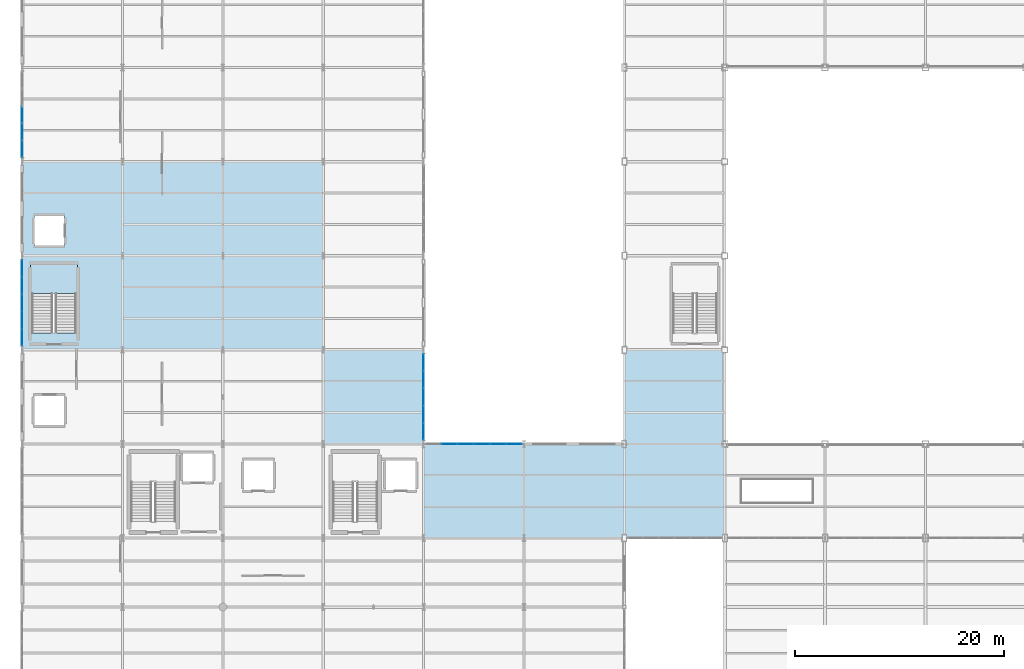
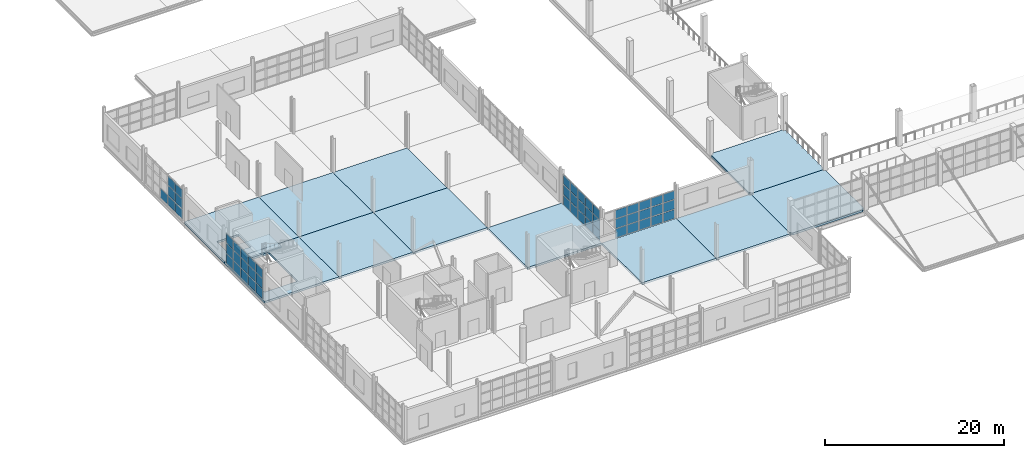
# One storey, part 75 of 120: 52 plates, 12 slabs, 5 elements without a shape of their own.
"""IFC4 building model written with IfcOpenShell, lengths in metres."""

from ifc_helpers import new_model, si_unit, direction, frame, origin, origin_2d, place, context, subcontext, project, spatial, polyline, rectangle, outline, extrude, material, layer, layer_set, type_object, element, aggregate, save


model = new_model("IFC4")

# Units and contexts
model_context = context("Model", 3, precision=1e-05, world=origin(), true_north=direction((0.0, 1.0)))
body_context = subcontext(model_context, "Body", "Model", "MODEL_VIEW")
ifc_project = project(units=[si_unit("LENGTHUNIT", "METRE"), si_unit("AREAUNIT", "SQUARE_METRE"), si_unit("VOLUMEUNIT", "CUBIC_METRE"), si_unit("PLANEANGLEUNIT", "RADIAN"), si_unit("MASSUNIT", "GRAM", prefix="KILO")], contexts=[model_context])

# Site, building, storey
site_placement = place(None, origin())
site = spatial("IfcSite", under=ifc_project, at=site_placement, CompositionType="ELEMENT")
building_placement = place(site_placement, origin())
building = spatial("IfcBuilding", under=site, at=building_placement, Name="Zarnetskaya Central Station", CompositionType="ELEMENT")
storey_placement = place(building_placement, frame((0.0, 0.0, 5.39990234375)))
storey = spatial("IfcBuildingStorey", under=building, at=storey_placement, Name="L01", CompositionType="ELEMENT", Elevation=5.39990234375)

# Curtain wall, plates
ifc_material_1 = material(Name="Low-E insulated glass", Category="glass")
ifc_layer_1 = layer(ifc_material_1, 0.16796875, Name="Low-E insulated glass", Category="glass")
ifc_layer_set_1 = layer_set([ifc_layer_1], Name="Low-E insulated glass")
curtain_wall_type_1 = type_object("IfcCurtainWallType", Name="CW-SYS-03", PredefinedType="USERDEFINED", material=ifc_layer_set_1)
curtain_wall_1_placement = place(storey_placement, origin())
curtain_wall_1 = element("IfcCurtainWall", 1, at=curtain_wall_1_placement, inside=storey, type_object=curtain_wall_type_1, Name="Curtain wall CW-L01-010", ObjectType="CURTAIN WALL", PredefinedType="USERDEFINED")
ifc_layer_2 = layer(ifc_material_1, 0.028076171875, Name="Low-E insulated glass", Category="glass")
ifc_layer_set_2 = layer_set([ifc_layer_2], Name="Low-E insulated glass")
plate_type_1 = type_object("IfcPlateType", Name="CW-PAN-28", PredefinedType="CURTAIN_PANEL", material=ifc_layer_set_2)
plate_1_placement = place(storey_placement, frame((40.875, 22.199951171875, 0.080078125), z_axis=(0.0, 0.0, 1.0), x_axis=(1.0, 0.0, 0.0)))
plate_1 = element("IfcPlate", 2, at=plate_1_placement, type_object=plate_type_1, Name="CW-12 panel 2.1", PredefinedType="CURTAIN_PANEL", context=body_context, shape_type="SweptSolid", body=[
    extrude(rectangle(XDim=1.469970703125, YDim=0.028076171875, at=origin_2d()), origin(), (0.0, 0.0, 1.0), 1.219970703125),
])
plate_2_placement = place(storey_placement, frame((40.875, 22.199951171875, 1.3798828125), z_axis=(0.0, 0.0, 1.0), x_axis=(1.0, 0.0, 0.0)))
plate_2 = element("IfcPlate", 3, at=plate_2_placement, type_object=plate_type_1, Name="CW-12 panel 2.2", PredefinedType="CURTAIN_PANEL", context=body_context, shape_type="SweptSolid", body=[
    extrude(rectangle(XDim=1.469970703125, YDim=0.028076171875, at=origin_2d()), origin(), (0.0, 0.0, 1.0), 1.259033203125),
])
plate_3_placement = place(storey_placement, frame((40.875, 22.199951171875, 2.718994140625), z_axis=(0.0, 0.0, 1.0), x_axis=(1.0, 0.0, 0.0)))
plate_3 = element("IfcPlate", 4, at=plate_3_placement, type_object=plate_type_1, Name="CW-12 panel 2.3", PredefinedType="CURTAIN_PANEL", context=body_context, shape_type="SweptSolid", body=[
    extrude(rectangle(XDim=1.469970703125, YDim=0.028076171875, at=origin_2d()), origin(), (0.0, 0.0, 1.0), 1.14111328125),
])
plate_4_placement = place(storey_placement, frame((42.425048828125, 22.199951171875, 0.080078125), z_axis=(0.0, 0.0, 1.0), x_axis=(1.0, 0.0, 0.0)))
plate_4 = element("IfcPlate", 5, at=plate_4_placement, type_object=plate_type_1, Name="CW-12 panel 3.1", PredefinedType="CURTAIN_PANEL", context=body_context, shape_type="SweptSolid", body=[
    extrude(rectangle(XDim=1.469970703125, YDim=0.028076171875, at=origin_2d()), origin(), (0.0, 0.0, 1.0), 1.219970703125),
])
plate_5_placement = place(storey_placement, frame((42.425048828125, 22.199951171875, 1.3798828125), z_axis=(0.0, 0.0, 1.0), x_axis=(1.0, 0.0, 0.0)))
plate_5 = element("IfcPlate", 6, at=plate_5_placement, type_object=plate_type_1, Name="CW-12 panel 3.2", PredefinedType="CURTAIN_PANEL", context=body_context, shape_type="SweptSolid", body=[
    extrude(rectangle(XDim=1.469970703125, YDim=0.028076171875, at=origin_2d()), origin(), (0.0, 0.0, 1.0), 1.259033203125),
])
plate_6_placement = place(storey_placement, frame((42.425048828125, 22.199951171875, 2.718994140625), z_axis=(0.0, 0.0, 1.0), x_axis=(1.0, 0.0, 0.0)))
plate_6 = element("IfcPlate", 7, at=plate_6_placement, type_object=plate_type_1, Name="CW-12 panel 3.3", PredefinedType="CURTAIN_PANEL", context=body_context, shape_type="SweptSolid", body=[
    extrude(rectangle(XDim=1.469970703125, YDim=0.028076171875, at=origin_2d()), origin(), (0.0, 0.0, 1.0), 1.14111328125),
])
plate_7_placement = place(storey_placement, frame((43.97509765625, 22.199951171875, 0.080078125), z_axis=(0.0, 0.0, 1.0), x_axis=(1.0, 0.0, 0.0)))
plate_7 = element("IfcPlate", 8, at=plate_7_placement, type_object=plate_type_1, Name="CW-12 panel 4.1", PredefinedType="CURTAIN_PANEL", context=body_context, shape_type="SweptSolid", body=[
    extrude(rectangle(XDim=1.469970703125, YDim=0.028076171875, at=origin_2d()), origin(), (0.0, 0.0, 1.0), 1.219970703125),
])
plate_8_placement = place(storey_placement, frame((43.97509765625, 22.199951171875, 1.3798828125), z_axis=(0.0, 0.0, 1.0), x_axis=(1.0, 0.0, 0.0)))
plate_8 = element("IfcPlate", 9, at=plate_8_placement, type_object=plate_type_1, Name="CW-12 panel 4.2", PredefinedType="CURTAIN_PANEL", context=body_context, shape_type="SweptSolid", body=[
    extrude(rectangle(XDim=1.469970703125, YDim=0.028076171875, at=origin_2d()), origin(), (0.0, 0.0, 1.0), 1.259033203125),
])
plate_9_placement = place(storey_placement, frame((43.97509765625, 22.199951171875, 2.718994140625), z_axis=(0.0, 0.0, 1.0), x_axis=(1.0, 0.0, 0.0)))
plate_9 = element("IfcPlate", 10, at=plate_9_placement, type_object=plate_type_1, Name="CW-12 panel 4.3", PredefinedType="CURTAIN_PANEL", context=body_context, shape_type="SweptSolid", body=[
    extrude(rectangle(XDim=1.469970703125, YDim=0.028076171875, at=origin_2d()), origin(), (0.0, 0.0, 1.0), 1.14111328125),
])
plate_10_placement = place(storey_placement, frame((45.52490234375, 22.199951171875, 0.080078125), z_axis=(0.0, 0.0, 1.0), x_axis=(1.0, 0.0, 0.0)))
plate_10 = element("IfcPlate", 11, at=plate_10_placement, type_object=plate_type_1, Name="CW-12 panel 5.1", PredefinedType="CURTAIN_PANEL", context=body_context, shape_type="SweptSolid", body=[
    extrude(rectangle(XDim=1.469970703125, YDim=0.028076171875, at=origin_2d()), origin(), (0.0, 0.0, 1.0), 1.219970703125),
])
plate_11_placement = place(storey_placement, frame((45.52490234375, 22.199951171875, 1.3798828125), z_axis=(0.0, 0.0, 1.0), x_axis=(1.0, 0.0, 0.0)))
plate_11 = element("IfcPlate", 12, at=plate_11_placement, type_object=plate_type_1, Name="CW-12 panel 5.2", PredefinedType="CURTAIN_PANEL", context=body_context, shape_type="SweptSolid", body=[
    extrude(rectangle(XDim=1.469970703125, YDim=0.028076171875, at=origin_2d()), origin(), (0.0, 0.0, 1.0), 1.259033203125),
])
plate_12_placement = place(storey_placement, frame((45.52490234375, 22.199951171875, 2.718994140625), z_axis=(0.0, 0.0, 1.0), x_axis=(1.0, 0.0, 0.0)))
plate_12 = element("IfcPlate", 13, at=plate_12_placement, type_object=plate_type_1, Name="CW-12 panel 5.3", PredefinedType="CURTAIN_PANEL", context=body_context, shape_type="SweptSolid", body=[
    extrude(rectangle(XDim=1.469970703125, YDim=0.028076171875, at=origin_2d()), origin(), (0.0, 0.0, 1.0), 1.14111328125),
])
plate_13_placement = place(storey_placement, frame((47.054931640625, 22.199951171875, 0.080078125), z_axis=(0.0, 0.0, 1.0), x_axis=(1.0, 0.0, 0.0)))
plate_13 = element("IfcPlate", 14, at=plate_13_placement, type_object=plate_type_1, Name="CW-12 panel 6.1", PredefinedType="CURTAIN_PANEL", context=body_context, shape_type="SweptSolid", body=[
    extrude(rectangle(XDim=1.429931640625, YDim=0.028076171875, at=origin_2d()), origin(), (0.0, 0.0, 1.0), 1.219970703125),
])
plate_14_placement = place(storey_placement, frame((47.054931640625, 22.199951171875, 1.3798828125), z_axis=(0.0, 0.0, 1.0), x_axis=(1.0, 0.0, 0.0)))
plate_14 = element("IfcPlate", 15, at=plate_14_placement, type_object=plate_type_1, Name="CW-12 panel 6.2", PredefinedType="CURTAIN_PANEL", context=body_context, shape_type="SweptSolid", body=[
    extrude(rectangle(XDim=1.429931640625, YDim=0.028076171875, at=origin_2d()), origin(), (0.0, 0.0, 1.0), 1.259033203125),
])
plate_15_placement = place(storey_placement, frame((47.054931640625, 22.199951171875, 2.718994140625), z_axis=(0.0, 0.0, 1.0), x_axis=(1.0, 0.0, 0.0)))
plate_15 = element("IfcPlate", 16, at=plate_15_placement, type_object=plate_type_1, Name="CW-12 panel 6.3", PredefinedType="CURTAIN_PANEL", context=body_context, shape_type="SweptSolid", body=[
    extrude(rectangle(XDim=1.429931640625, YDim=0.028076171875, at=origin_2d()), origin(), (0.0, 0.0, 1.0), 1.14111328125),
])
aggregate(curtain_wall_1, [plate_1, plate_2, plate_3, plate_4, plate_5, plate_6, plate_7, plate_8, plate_9, plate_10, plate_11, plate_12, plate_13, plate_14, plate_15])

ifc_layer_3 = layer(ifc_material_1, 0.1640625, Name="Low-E insulated glass", Category="glass")
ifc_layer_set_3 = layer_set([ifc_layer_3], Name="Low-E insulated glass")
curtain_wall_type_2 = type_object("IfcCurtainWallType", Name="CW-SYS-07", PredefinedType="USERDEFINED", material=ifc_layer_set_3)
curtain_wall_2_placement = place(storey_placement, origin())
curtain_wall_2 = element("IfcCurtainWall", 17, at=curtain_wall_2_placement, inside=storey, type_object=curtain_wall_type_2, Name="Curtain wall CW-L01-003", ObjectType="CURTAIN WALL", PredefinedType="USERDEFINED")
ifc_layer_4 = layer(ifc_material_1, 0.0400390625, Name="Low-E insulated glass", Category="glass")
ifc_layer_set_4 = layer_set([ifc_layer_4], Name="Low-E insulated glass")
plate_type_2 = type_object("IfcPlateType", Name="CW-PAN-40", PredefinedType="CURTAIN_PANEL", material=ifc_layer_set_4)
plate_16_placement = place(storey_placement, frame((0.0, 32.3974609375, 0.0703125), z_axis=(0.0, 0.0, 1.0), x_axis=(0.0, 1.0, 0.0)))
plate_16 = element("IfcPlate", 18, at=plate_16_placement, type_object=plate_type_2, Name="CW-06 panel 1.1", PredefinedType="CURTAIN_PANEL", context=body_context, shape_type="SweptSolid", body=[
    extrude(rectangle(XDim=1.554931640625, YDim=0.0400390625, at=origin_2d()), origin(), (0.0, 0.0, 1.0), 1.302978515625),
])
plate_17_placement = place(storey_placement, frame((0.0, 32.3974609375, 1.443115234375), z_axis=(0.0, 0.0, 1.0), x_axis=(0.0, 1.0, 0.0)))
plate_17 = element("IfcPlate", 19, at=plate_17_placement, type_object=plate_type_2, Name="CW-06 panel 1.2", PredefinedType="CURTAIN_PANEL", context=body_context, shape_type="SweptSolid", body=[
    extrude(rectangle(XDim=1.554931640625, YDim=0.0400390625, at=origin_2d()), origin(), (0.0, 0.0, 1.0), 1.3369140625),
])
plate_18_placement = place(storey_placement, frame((0.0, 32.3974609375, 2.85009765625), z_axis=(0.0, 0.0, 1.0), x_axis=(0.0, 1.0, 0.0)))
plate_18 = element("IfcPlate", 20, at=plate_18_placement, type_object=plate_type_2, Name="CW-06 panel 1.3", PredefinedType="CURTAIN_PANEL", context=body_context, shape_type="SweptSolid", body=[
    extrude(rectangle(XDim=1.554931640625, YDim=0.0400390625, at=origin_2d()), origin(), (0.0, 0.0, 1.0), 1.219970703125),
])
plate_19_placement = place(storey_placement, frame((0.0, 34.0400390625, 0.0703125), z_axis=(0.0, 0.0, 1.0), x_axis=(0.0, 1.0, 0.0)))
plate_19 = element("IfcPlate", 21, at=plate_19_placement, type_object=plate_type_2, Name="CW-06 panel 2.1", PredefinedType="CURTAIN_PANEL", context=body_context, shape_type="SweptSolid", body=[
    extrude(rectangle(XDim=1.590087890625, YDim=0.0400390625, at=origin_2d()), origin(), (0.0, 0.0, 1.0), 1.302978515625),
])
plate_20_placement = place(storey_placement, frame((0.0, 34.0400390625, 1.443115234375), z_axis=(0.0, 0.0, 1.0), x_axis=(0.0, 1.0, 0.0)))
plate_20 = element("IfcPlate", 22, at=plate_20_placement, type_object=plate_type_2, Name="CW-06 panel 2.2", PredefinedType="CURTAIN_PANEL", context=body_context, shape_type="SweptSolid", body=[
    extrude(rectangle(XDim=1.590087890625, YDim=0.0400390625, at=origin_2d()), origin(), (0.0, 0.0, 1.0), 1.3369140625),
])
plate_21_placement = place(storey_placement, frame((0.0, 34.0400390625, 2.85009765625), z_axis=(0.0, 0.0, 1.0), x_axis=(0.0, 1.0, 0.0)))
plate_21 = element("IfcPlate", 23, at=plate_21_placement, type_object=plate_type_2, Name="CW-06 panel 2.3", PredefinedType="CURTAIN_PANEL", context=body_context, shape_type="SweptSolid", body=[
    extrude(rectangle(XDim=1.590087890625, YDim=0.0400390625, at=origin_2d()), origin(), (0.0, 0.0, 1.0), 1.219970703125),
])
plate_22_placement = place(storey_placement, frame((0.0, 35.699951171875, 0.0703125), z_axis=(0.0, 0.0, 1.0), x_axis=(0.0, 1.0, 0.0)))
plate_22 = element("IfcPlate", 24, at=plate_22_placement, type_object=plate_type_2, Name="CW-06 panel 3.1", PredefinedType="CURTAIN_PANEL", context=body_context, shape_type="SweptSolid", body=[
    extrude(rectangle(XDim=1.590087890625, YDim=0.0400390625, at=origin_2d()), origin(), (0.0, 0.0, 1.0), 1.302978515625),
])
plate_23_placement = place(storey_placement, frame((0.0, 35.699951171875, 1.443115234375), z_axis=(0.0, 0.0, 1.0), x_axis=(0.0, 1.0, 0.0)))
plate_23 = element("IfcPlate", 25, at=plate_23_placement, type_object=plate_type_2, Name="CW-06 panel 3.2", PredefinedType="CURTAIN_PANEL", context=body_context, shape_type="SweptSolid", body=[
    extrude(rectangle(XDim=1.590087890625, YDim=0.0400390625, at=origin_2d()), origin(), (0.0, 0.0, 1.0), 1.3369140625),
])
plate_24_placement = place(storey_placement, frame((0.0, 35.699951171875, 2.85009765625), z_axis=(0.0, 0.0, 1.0), x_axis=(0.0, 1.0, 0.0)))
plate_24 = element("IfcPlate", 26, at=plate_24_placement, type_object=plate_type_2, Name="CW-06 panel 3.3", PredefinedType="CURTAIN_PANEL", context=body_context, shape_type="SweptSolid", body=[
    extrude(rectangle(XDim=1.590087890625, YDim=0.0400390625, at=origin_2d()), origin(), (0.0, 0.0, 1.0), 1.219970703125),
])
plate_25_placement = place(storey_placement, frame((0.0, 37.360107421875, 0.0703125), z_axis=(0.0, 0.0, 1.0), x_axis=(0.0, 1.0, 0.0)))
plate_25 = element("IfcPlate", 27, at=plate_25_placement, type_object=plate_type_2, Name="CW-06 panel 4.1", PredefinedType="CURTAIN_PANEL", context=body_context, shape_type="SweptSolid", body=[
    extrude(rectangle(XDim=1.590087890625, YDim=0.0400390625, at=origin_2d()), origin(), (0.0, 0.0, 1.0), 1.302978515625),
])
plate_26_placement = place(storey_placement, frame((0.0, 37.360107421875, 1.443115234375), z_axis=(0.0, 0.0, 1.0), x_axis=(0.0, 1.0, 0.0)))
plate_26 = element("IfcPlate", 28, at=plate_26_placement, type_object=plate_type_2, Name="CW-06 panel 4.2", PredefinedType="CURTAIN_PANEL", context=body_context, shape_type="SweptSolid", body=[
    extrude(rectangle(XDim=1.590087890625, YDim=0.0400390625, at=origin_2d()), origin(), (0.0, 0.0, 1.0), 1.3369140625),
])
plate_27_placement = place(storey_placement, frame((0.0, 37.360107421875, 2.85009765625), z_axis=(0.0, 0.0, 1.0), x_axis=(0.0, 1.0, 0.0)))
plate_27 = element("IfcPlate", 29, at=plate_27_placement, type_object=plate_type_2, Name="CW-06 panel 4.3", PredefinedType="CURTAIN_PANEL", context=body_context, shape_type="SweptSolid", body=[
    extrude(rectangle(XDim=1.590087890625, YDim=0.0400390625, at=origin_2d()), origin(), (0.0, 0.0, 1.0), 1.219970703125),
])
plate_28_placement = place(storey_placement, frame((0.0, 39.00244140625, 0.0703125), z_axis=(0.0, 0.0, 1.0), x_axis=(0.0, 1.0, 0.0)))
plate_28 = element("IfcPlate", 30, at=plate_28_placement, type_object=plate_type_2, Name="CW-06 panel 5.1", PredefinedType="CURTAIN_PANEL", context=body_context, shape_type="SweptSolid", body=[
    extrude(rectangle(XDim=1.554931640625, YDim=0.0400390625, at=origin_2d()), origin(), (0.0, 0.0, 1.0), 1.302978515625),
])
plate_29_placement = place(storey_placement, frame((0.0, 39.00244140625, 1.443115234375), z_axis=(0.0, 0.0, 1.0), x_axis=(0.0, 1.0, 0.0)))
plate_29 = element("IfcPlate", 31, at=plate_29_placement, type_object=plate_type_2, Name="CW-06 panel 5.2", PredefinedType="CURTAIN_PANEL", context=body_context, shape_type="SweptSolid", body=[
    extrude(rectangle(XDim=1.554931640625, YDim=0.0400390625, at=origin_2d()), origin(), (0.0, 0.0, 1.0), 1.3369140625),
])
plate_30_placement = place(storey_placement, frame((0.0, 39.00244140625, 2.85009765625), z_axis=(0.0, 0.0, 1.0), x_axis=(0.0, 1.0, 0.0)))
plate_30 = element("IfcPlate", 32, at=plate_30_placement, type_object=plate_type_2, Name="CW-06 panel 5.3", PredefinedType="CURTAIN_PANEL", context=body_context, shape_type="SweptSolid", body=[
    extrude(rectangle(XDim=1.554931640625, YDim=0.0400390625, at=origin_2d()), origin(), (0.0, 0.0, 1.0), 1.219970703125),
])
aggregate(curtain_wall_2, [plate_16, plate_17, plate_18, plate_19, plate_20, plate_21, plate_22, plate_23, plate_24, plate_25, plate_26, plate_27, plate_28, plate_29, plate_30])

ifc_layer_5 = layer(ifc_material_1, 0.172119140625, Name="Low-E insulated glass", Category="glass")
ifc_layer_set_5 = layer_set([ifc_layer_5], Name="Low-E insulated glass")
curtain_wall_type_3 = type_object("IfcCurtainWallType", Name="CW-SYS-09", PredefinedType="USERDEFINED", material=ifc_layer_set_5)
curtain_wall_3_placement = place(storey_placement, origin())
curtain_wall_3 = element("IfcCurtainWall", 33, at=curtain_wall_3_placement, inside=storey, type_object=curtain_wall_type_3, Name="Curtain wall CW-L01-004", ObjectType="CURTAIN WALL", PredefinedType="USERDEFINED")
ifc_layer_6 = layer(ifc_material_1, 0.0439453125, Name="Low-E insulated glass", Category="glass")
ifc_layer_set_6 = layer_set([ifc_layer_6], Name="Low-E insulated glass")
plate_type_3 = type_object("IfcPlateType", Name="CW-PAN-44", PredefinedType="CURTAIN_PANEL", material=ifc_layer_set_6)
plate_31_placement = place(storey_placement, frame((0.0, 50.39990234375, 0.080078125), z_axis=(0.0, 0.0, 1.0), x_axis=(0.0, 1.0, 0.0)))
plate_31 = element("IfcPlate", 34, at=plate_31_placement, type_object=plate_type_3, Name="CW-07 panel 1.1", PredefinedType="CURTAIN_PANEL", context=body_context, shape_type="SweptSolid", body=[
    extrude(rectangle(XDim=1.5400390625, YDim=0.0439453125, at=origin_2d()), origin(), (0.0, 0.0, 1.0), 1.2880859375),
])
plate_32_placement = place(storey_placement, frame((0.0, 50.39990234375, 1.4482421875), z_axis=(0.0, 0.0, 1.0), x_axis=(0.0, 1.0, 0.0)))
plate_32 = element("IfcPlate", 35, at=plate_32_placement, type_object=plate_type_3, Name="CW-07 panel 1.2", PredefinedType="CURTAIN_PANEL", context=body_context, shape_type="SweptSolid", body=[
    extrude(rectangle(XDim=1.5400390625, YDim=0.0439453125, at=origin_2d()), origin(), (0.0, 0.0, 1.0), 1.326904296875),
])
plate_33_placement = place(storey_placement, frame((0.0, 50.39990234375, 2.85498046875), z_axis=(0.0, 0.0, 1.0), x_axis=(0.0, 1.0, 0.0)))
plate_33 = element("IfcPlate", 36, at=plate_33_placement, type_object=plate_type_3, Name="CW-07 panel 1.3", PredefinedType="CURTAIN_PANEL", context=body_context, shape_type="SweptSolid", body=[
    extrude(rectangle(XDim=1.5400390625, YDim=0.0439453125, at=origin_2d()), origin(), (0.0, 0.0, 1.0), 1.205078125),
])
plate_34_placement = place(storey_placement, frame((0.0, 52.0400390625, 0.080078125), z_axis=(0.0, 0.0, 1.0), x_axis=(0.0, 1.0, 0.0)))
plate_34 = element("IfcPlate", 37, at=plate_34_placement, type_object=plate_type_3, Name="CW-07 panel 2.1", PredefinedType="CURTAIN_PANEL", context=body_context, shape_type="SweptSolid", body=[
    extrude(rectangle(XDim=1.580078125, YDim=0.0439453125, at=origin_2d()), origin(), (0.0, 0.0, 1.0), 1.2880859375),
])
plate_35_placement = place(storey_placement, frame((0.0, 52.0400390625, 1.4482421875), z_axis=(0.0, 0.0, 1.0), x_axis=(0.0, 1.0, 0.0)))
plate_35 = element("IfcPlate", 38, at=plate_35_placement, type_object=plate_type_3, Name="CW-07 panel 2.2", PredefinedType="CURTAIN_PANEL", context=body_context, shape_type="SweptSolid", body=[
    extrude(rectangle(XDim=1.580078125, YDim=0.0439453125, at=origin_2d()), origin(), (0.0, 0.0, 1.0), 1.326904296875),
])
plate_36_placement = place(storey_placement, frame((0.0, 52.0400390625, 2.85498046875), z_axis=(0.0, 0.0, 1.0), x_axis=(0.0, 1.0, 0.0)))
plate_36 = element("IfcPlate", 39, at=plate_36_placement, type_object=plate_type_3, Name="CW-07 panel 2.3", PredefinedType="CURTAIN_PANEL", context=body_context, shape_type="SweptSolid", body=[
    extrude(rectangle(XDim=1.580078125, YDim=0.0439453125, at=origin_2d()), origin(), (0.0, 0.0, 1.0), 1.205078125),
])
plate_37_placement = place(storey_placement, frame((0.0, 53.699951171875, 0.080078125), z_axis=(0.0, 0.0, 1.0), x_axis=(0.0, 1.0, 0.0)))
plate_37 = element("IfcPlate", 40, at=plate_37_placement, type_object=plate_type_3, Name="CW-07 panel 3.1", PredefinedType="CURTAIN_PANEL", context=body_context, shape_type="SweptSolid", body=[
    extrude(rectangle(XDim=1.580078125, YDim=0.0439453125, at=origin_2d()), origin(), (0.0, 0.0, 1.0), 1.2880859375),
])
aggregate(curtain_wall_3, [plate_31, plate_32, plate_33, plate_34, plate_35, plate_36, plate_37])

curtain_wall_4_placement = place(storey_placement, origin())
curtain_wall_4 = element("IfcCurtainWall", 41, at=curtain_wall_4_placement, inside=storey, type_object=curtain_wall_type_2, Name="Curtain wall CW-L01-009", ObjectType="CURTAIN WALL", PredefinedType="USERDEFINED")
plate_38_placement = place(storey_placement, frame((38.39990234375, 30.00244140625, 0.0703125), z_axis=(0.0, 0.0, 1.0), x_axis=(0.0, -1.0, 0.0)))
plate_38 = element("IfcPlate", 42, at=plate_38_placement, type_object=plate_type_3, Name="CW-06 panel 1.1", PredefinedType="CURTAIN_PANEL", context=body_context, shape_type="SweptSolid", body=[
    extrude(rectangle(XDim=1.554931640625, YDim=0.0439453125, at=origin_2d()), origin(), (0.0, 0.0, 1.0), 1.322998046875),
])
plate_39_placement = place(storey_placement, frame((38.39990234375, 30.00244140625, 1.463134765625), z_axis=(0.0, 0.0, 1.0), x_axis=(0.0, -1.0, 0.0)))
plate_39 = element("IfcPlate", 43, at=plate_39_placement, type_object=plate_type_3, Name="CW-06 panel 1.2", PredefinedType="CURTAIN_PANEL", context=body_context, shape_type="SweptSolid", body=[
    extrude(rectangle(XDim=1.554931640625, YDim=0.0439453125, at=origin_2d()), origin(), (0.0, 0.0, 1.0), 1.35791015625),
])
plate_40_placement = place(storey_placement, frame((38.39990234375, 30.00244140625, 2.89111328125), z_axis=(0.0, 0.0, 1.0), x_axis=(0.0, -1.0, 0.0)))
plate_40 = element("IfcPlate", 44, at=plate_40_placement, type_object=plate_type_3, Name="CW-06 panel 1.3", PredefinedType="CURTAIN_PANEL", context=body_context, shape_type="SweptSolid", body=[
    extrude(rectangle(XDim=1.554931640625, YDim=0.0439453125, at=origin_2d()), origin(), (0.0, 0.0, 1.0), 1.239013671875),
])
plate_41_placement = place(storey_placement, frame((38.39990234375, 28.360107421875, 0.0703125), z_axis=(0.0, 0.0, 1.0), x_axis=(0.0, -1.0, 0.0)))
plate_41 = element("IfcPlate", 45, at=plate_41_placement, type_object=plate_type_3, Name="CW-06 panel 2.1", PredefinedType="CURTAIN_PANEL", context=body_context, shape_type="SweptSolid", body=[
    extrude(rectangle(XDim=1.590087890625, YDim=0.0439453125, at=origin_2d()), origin(), (0.0, 0.0, 1.0), 1.322998046875),
])
plate_42_placement = place(storey_placement, frame((38.39990234375, 28.360107421875, 1.463134765625), z_axis=(0.0, 0.0, 1.0), x_axis=(0.0, -1.0, 0.0)))
plate_42 = element("IfcPlate", 46, at=plate_42_placement, type_object=plate_type_3, Name="CW-06 panel 2.2", PredefinedType="CURTAIN_PANEL", context=body_context, shape_type="SweptSolid", body=[
    extrude(rectangle(XDim=1.590087890625, YDim=0.0439453125, at=origin_2d()), origin(), (0.0, 0.0, 1.0), 1.35791015625),
])
plate_43_placement = place(storey_placement, frame((38.39990234375, 28.360107421875, 2.89111328125), z_axis=(0.0, 0.0, 1.0), x_axis=(0.0, -1.0, 0.0)))
plate_43 = element("IfcPlate", 47, at=plate_43_placement, type_object=plate_type_3, Name="CW-06 panel 2.3", PredefinedType="CURTAIN_PANEL", context=body_context, shape_type="SweptSolid", body=[
    extrude(rectangle(XDim=1.590087890625, YDim=0.0439453125, at=origin_2d()), origin(), (0.0, 0.0, 1.0), 1.239013671875),
])
plate_44_placement = place(storey_placement, frame((38.39990234375, 26.699951171875, 0.0703125), z_axis=(0.0, 0.0, 1.0), x_axis=(0.0, -1.0, 0.0)))
plate_44 = element("IfcPlate", 48, at=plate_44_placement, type_object=plate_type_3, Name="CW-06 panel 3.1", PredefinedType="CURTAIN_PANEL", context=body_context, shape_type="SweptSolid", body=[
    extrude(rectangle(XDim=1.590087890625, YDim=0.0439453125, at=origin_2d()), origin(), (0.0, 0.0, 1.0), 1.322998046875),
])
plate_45_placement = place(storey_placement, frame((38.39990234375, 26.699951171875, 1.463134765625), z_axis=(0.0, 0.0, 1.0), x_axis=(0.0, -1.0, 0.0)))
plate_45 = element("IfcPlate", 49, at=plate_45_placement, type_object=plate_type_3, Name="CW-06 panel 3.2", PredefinedType="CURTAIN_PANEL", context=body_context, shape_type="SweptSolid", body=[
    extrude(rectangle(XDim=1.590087890625, YDim=0.0439453125, at=origin_2d()), origin(), (0.0, 0.0, 1.0), 1.35791015625),
])
plate_46_placement = place(storey_placement, frame((38.39990234375, 26.699951171875, 2.89111328125), z_axis=(0.0, 0.0, 1.0), x_axis=(0.0, -1.0, 0.0)))
plate_46 = element("IfcPlate", 50, at=plate_46_placement, type_object=plate_type_3, Name="CW-06 panel 3.3", PredefinedType="CURTAIN_PANEL", context=body_context, shape_type="SweptSolid", body=[
    extrude(rectangle(XDim=1.590087890625, YDim=0.0439453125, at=origin_2d()), origin(), (0.0, 0.0, 1.0), 1.239013671875),
])
plate_47_placement = place(storey_placement, frame((38.39990234375, 25.0400390625, 0.0703125), z_axis=(0.0, 0.0, 1.0), x_axis=(0.0, -1.0, 0.0)))
plate_47 = element("IfcPlate", 51, at=plate_47_placement, type_object=plate_type_3, Name="CW-06 panel 4.1", PredefinedType="CURTAIN_PANEL", context=body_context, shape_type="SweptSolid", body=[
    extrude(rectangle(XDim=1.590087890625, YDim=0.0439453125, at=origin_2d()), origin(), (0.0, 0.0, 1.0), 1.322998046875),
])
plate_48_placement = place(storey_placement, frame((38.39990234375, 25.0400390625, 1.463134765625), z_axis=(0.0, 0.0, 1.0), x_axis=(0.0, -1.0, 0.0)))
plate_48 = element("IfcPlate", 52, at=plate_48_placement, type_object=plate_type_3, Name="CW-06 panel 4.2", PredefinedType="CURTAIN_PANEL", context=body_context, shape_type="SweptSolid", body=[
    extrude(rectangle(XDim=1.590087890625, YDim=0.0439453125, at=origin_2d()), origin(), (0.0, 0.0, 1.0), 1.35791015625),
])
plate_49_placement = place(storey_placement, frame((38.39990234375, 25.0400390625, 2.89111328125), z_axis=(0.0, 0.0, 1.0), x_axis=(0.0, -1.0, 0.0)))
plate_49 = element("IfcPlate", 53, at=plate_49_placement, type_object=plate_type_3, Name="CW-06 panel 4.3", PredefinedType="CURTAIN_PANEL", context=body_context, shape_type="SweptSolid", body=[
    extrude(rectangle(XDim=1.590087890625, YDim=0.0439453125, at=origin_2d()), origin(), (0.0, 0.0, 1.0), 1.239013671875),
])
plate_50_placement = place(storey_placement, frame((38.39990234375, 23.3974609375, 0.0703125), z_axis=(0.0, 0.0, 1.0), x_axis=(0.0, -1.0, 0.0)))
plate_50 = element("IfcPlate", 54, at=plate_50_placement, type_object=plate_type_3, Name="CW-06 panel 5.1", PredefinedType="CURTAIN_PANEL", context=body_context, shape_type="SweptSolid", body=[
    extrude(rectangle(XDim=1.554931640625, YDim=0.0439453125, at=origin_2d()), origin(), (0.0, 0.0, 1.0), 1.322998046875),
])
plate_51_placement = place(storey_placement, frame((38.39990234375, 23.3974609375, 1.463134765625), z_axis=(0.0, 0.0, 1.0), x_axis=(0.0, -1.0, 0.0)))
plate_51 = element("IfcPlate", 55, at=plate_51_placement, type_object=plate_type_3, Name="CW-06 panel 5.2", PredefinedType="CURTAIN_PANEL", context=body_context, shape_type="SweptSolid", body=[
    extrude(rectangle(XDim=1.554931640625, YDim=0.0439453125, at=origin_2d()), origin(), (0.0, 0.0, 1.0), 1.35791015625),
])
plate_52_placement = place(storey_placement, frame((38.39990234375, 23.3974609375, 2.89111328125), z_axis=(0.0, 0.0, 1.0), x_axis=(0.0, -1.0, 0.0)))
plate_52 = element("IfcPlate", 56, at=plate_52_placement, type_object=plate_type_3, Name="CW-06 panel 5.3", PredefinedType="CURTAIN_PANEL", context=body_context, shape_type="SweptSolid", body=[
    extrude(rectangle(XDim=1.554931640625, YDim=0.0439453125, at=origin_2d()), origin(), (0.0, 0.0, 1.0), 1.239013671875),
])
aggregate(curtain_wall_4, [plate_38, plate_39, plate_40, plate_41, plate_42, plate_43, plate_44, plate_45, plate_46, plate_47, plate_48, plate_49, plate_50, plate_51, plate_52])

# Slabs
ifc_material_2 = material(Name="Concrete C30/37", Category="concrete")
ifc_layer_7 = layer(ifc_material_2, 0.280029296875, Name="Concrete C30/37", Category="concrete")
ifc_layer_set_7 = layer_set([ifc_layer_7], Name="Concrete C30/37")
slab_type_1 = type_object("IfcSlabType", Name="SLAB-BRG-280", PredefinedType="FLOOR", material=ifc_layer_set_7)
slab_1_placement = place(storey_placement, frame((0.0, 0.0, -0.27978515625)))
element("IfcSlab", 57, at=slab_1_placement, inside=storey, type_object=slab_type_1, Name="L01 slab A-B/5-6", PredefinedType="FLOOR", context=body_context, shape_type="SweptSolid", body=[
    extrude(outline(polyline([(0.0, 31.199951171875), (9.60009765625, 31.199951171875), (9.60009765625, 40.199951171875), (0.0, 40.199951171875), (0.0, 31.199951171875)]), holes=[polyline([(0.89990234375, 32.804931640625), (5.199951171875, 32.804931640625), (5.199951171875, 39.300048828125), (0.89990234375, 39.300048828125), (0.89990234375, 32.804931640625)])]), origin(), (0.0, 0.0, 1.0), 0.27978515625),
])
slab_2_placement = place(storey_placement, frame((0.0, 0.0, -0.27978515625)))
element("IfcSlab", 58, at=slab_2_placement, inside=storey, type_object=slab_type_1, Name="L01 slab A-B/6-7", PredefinedType="FLOOR", context=body_context, shape_type="SweptSolid", body=[
    extrude(outline(polyline([(0.0, 40.199951171875), (9.60009765625, 40.199951171875), (9.60009765625, 49.199951171875), (0.0, 49.199951171875), (0.0, 40.199951171875)]), holes=[polyline([(1.199951171875, 41.199951171875), (4.0, 41.199951171875), (4.0, 44.0), (1.199951171875, 44.0), (1.199951171875, 41.199951171875)])]), origin(), (0.0, 0.0, 1.0), 0.27978515625),
])
slab_3_placement = place(storey_placement, frame((0.0, 0.0, -0.27978515625)))
element("IfcSlab", 59, at=slab_3_placement, inside=storey, type_object=slab_type_1, Name="L01 slab B-C/5-6", PredefinedType="FLOOR", context=body_context, shape_type="SweptSolid", body=[
    extrude(outline(polyline([(9.60009765625, 31.199951171875), (19.199951171875, 31.199951171875), (19.199951171875, 40.199951171875), (9.60009765625, 40.199951171875), (9.60009765625, 31.199951171875)])), origin(), (0.0, 0.0, 1.0), 0.27978515625),
])
slab_4_placement = place(storey_placement, frame((0.0, 0.0, -0.27978515625)))
element("IfcSlab", 60, at=slab_4_placement, inside=storey, type_object=slab_type_1, Name="L01 slab B-C/6-7", PredefinedType="FLOOR", context=body_context, shape_type="SweptSolid", body=[
    extrude(outline(polyline([(9.60009765625, 40.199951171875), (19.199951171875, 40.199951171875), (19.199951171875, 49.199951171875), (9.60009765625, 49.199951171875), (9.60009765625, 40.199951171875)])), origin(), (0.0, 0.0, 1.0), 0.27978515625),
])
slab_5_placement = place(storey_placement, frame((0.0, 0.0, -0.27978515625)))
element("IfcSlab", 61, at=slab_5_placement, inside=storey, type_object=slab_type_1, Name="L01 slab C-D/5-6", PredefinedType="FLOOR", context=body_context, shape_type="SweptSolid", body=[
    extrude(outline(polyline([(19.199951171875, 31.199951171875), (28.800048828125, 31.199951171875), (28.800048828125, 40.199951171875), (19.199951171875, 40.199951171875), (19.199951171875, 31.199951171875)])), origin(), (0.0, 0.0, 1.0), 0.27978515625),
])
slab_6_placement = place(storey_placement, frame((0.0, 0.0, -0.27978515625)))
element("IfcSlab", 62, at=slab_6_placement, inside=storey, type_object=slab_type_1, Name="L01 slab C-D/6-7", PredefinedType="FLOOR", context=body_context, shape_type="SweptSolid", body=[
    extrude(outline(polyline([(19.199951171875, 40.199951171875), (28.800048828125, 40.199951171875), (28.800048828125, 49.199951171875), (19.199951171875, 49.199951171875), (19.199951171875, 40.199951171875)])), origin(), (0.0, 0.0, 1.0), 0.27978515625),
])
slab_7_placement = place(storey_placement, frame((0.0, 0.0, -0.27978515625)))
element("IfcSlab", 63, at=slab_7_placement, inside=storey, type_object=slab_type_1, Name="L01 slab D-E/4-5", PredefinedType="FLOOR", context=body_context, shape_type="SweptSolid", body=[
    extrude(outline(polyline([(28.800048828125, 22.199951171875), (38.39990234375, 22.199951171875), (38.39990234375, 31.199951171875), (28.800048828125, 31.199951171875), (28.800048828125, 22.199951171875)])), origin(), (0.0, 0.0, 1.0), 0.27978515625),
])
slab_8_placement = place(storey_placement, frame((0.0, 0.0, -0.27978515625)))
element("IfcSlab", 64, at=slab_8_placement, inside=storey, type_object=slab_type_1, Name="L01 slab E-F/3-4", PredefinedType="FLOOR", context=body_context, shape_type="SweptSolid", body=[
    extrude(outline(polyline([(38.39990234375, 13.199951171875), (48.0, 13.199951171875), (48.0, 22.199951171875), (38.39990234375, 22.199951171875), (38.39990234375, 13.199951171875)])), origin(), (0.0, 0.0, 1.0), 0.27978515625),
])
slab_9_placement = place(storey_placement, frame((0.0, 0.0, -0.27978515625)))
element("IfcSlab", 65, at=slab_9_placement, inside=storey, type_object=slab_type_1, Name="L01 slab F-G/3-4", PredefinedType="FLOOR", context=body_context, shape_type="SweptSolid", body=[
    extrude(outline(polyline([(48.0, 13.199951171875), (57.60009765625, 13.199951171875), (57.60009765625, 22.199951171875), (48.0, 22.199951171875), (48.0, 13.199951171875)])), origin(), (0.0, 0.0, 1.0), 0.27978515625),
])
slab_10_placement = place(storey_placement, frame((0.0, 0.0, -0.27978515625)))
element("IfcSlab", 66, at=slab_10_placement, inside=storey, type_object=slab_type_1, Name="L01 slab G-H/3-4", PredefinedType="FLOOR", context=body_context, shape_type="SweptSolid", body=[
    extrude(outline(polyline([(57.89990234375, 13.199951171875), (66.89990234375, 13.199951171875), (67.199951171875, 13.5), (67.199951171875, 21.89990234375), (66.89990234375, 22.199951171875), (57.89990234375, 22.199951171875), (57.60009765625, 21.89990234375), (57.60009765625, 13.5), (57.89990234375, 13.199951171875)])), origin(), (0.0, 0.0, 1.0), 0.27978515625),
])
slab_11_placement = place(storey_placement, frame((0.0, 0.0, -0.27978515625)))
element("IfcSlab", 67, at=slab_11_placement, inside=storey, type_object=slab_type_1, Name="L01 slab G-H/4-5", PredefinedType="FLOOR", context=body_context, shape_type="SweptSolid", body=[
    extrude(outline(polyline([(57.89990234375, 22.199951171875), (66.89990234375, 22.199951171875), (67.199951171875, 22.5), (67.199951171875, 30.89990234375), (66.89990234375, 31.199951171875), (57.89990234375, 31.199951171875), (57.60009765625, 30.89990234375), (57.60009765625, 22.5), (57.89990234375, 22.199951171875)])), origin(), (0.0, 0.0, 1.0), 0.27978515625),
])

# Stair, slab
stair_type = type_object("IfcStairType", Name="STAIR-ASSY-02", PredefinedType="HALF_TURN_STAIR", material=ifc_material_2)
stair_placement = place(storey_placement, origin())
stair = element("IfcStair", 68, at=stair_placement, inside=storey, type_object=stair_type, Name="Exit Stair ST-C2 L01", PredefinedType="HALF_TURN_STAIR")
ifc_layer_8 = layer(ifc_material_2, 0.18505859375, Name="Concrete C30/37", Category="concrete")
ifc_layer_set_8 = layer_set([ifc_layer_8], Name="Concrete C30/37")
slab_type_2 = type_object("IfcSlabType", Name="SLAB-STAIR-LND", PredefinedType="LANDING", material=ifc_layer_set_8)
slab_12_placement = place(storey_placement, frame((0.0, 0.0, 2.215087890625)))
slab_12 = element("IfcSlab", 69, at=slab_12_placement, type_object=slab_type_2, Name="ST-07 landing 1", PredefinedType="LANDING", context=body_context, shape_type="SweptSolid", body=[
    extrude(outline(polyline([(0.820068359375, 36.574951171875), (5.280029296875, 36.574951171875), (5.280029296875, 39.3798828125), (0.820068359375, 39.3798828125), (0.820068359375, 36.574951171875)])), origin(), (0.0, 0.0, 1.0), 0.18505859375),
])
aggregate(stair, [slab_12])

save(model, "model.ifc")
